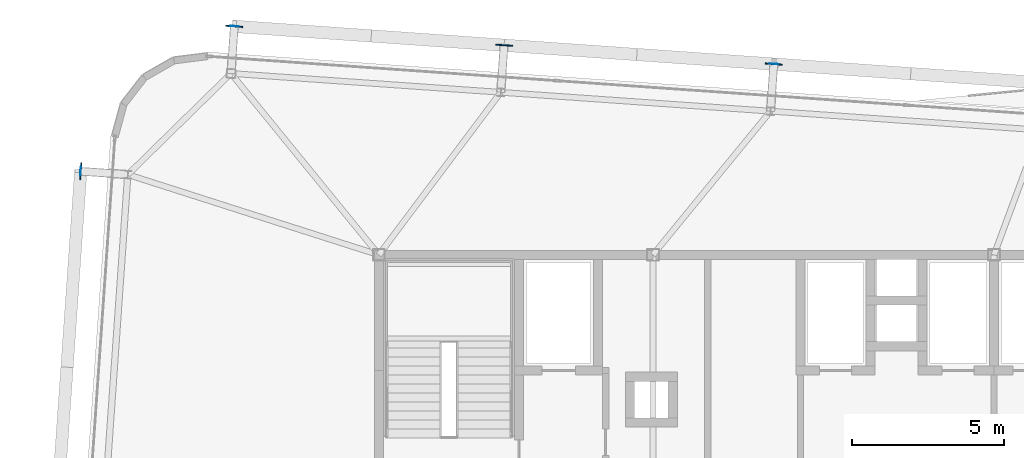
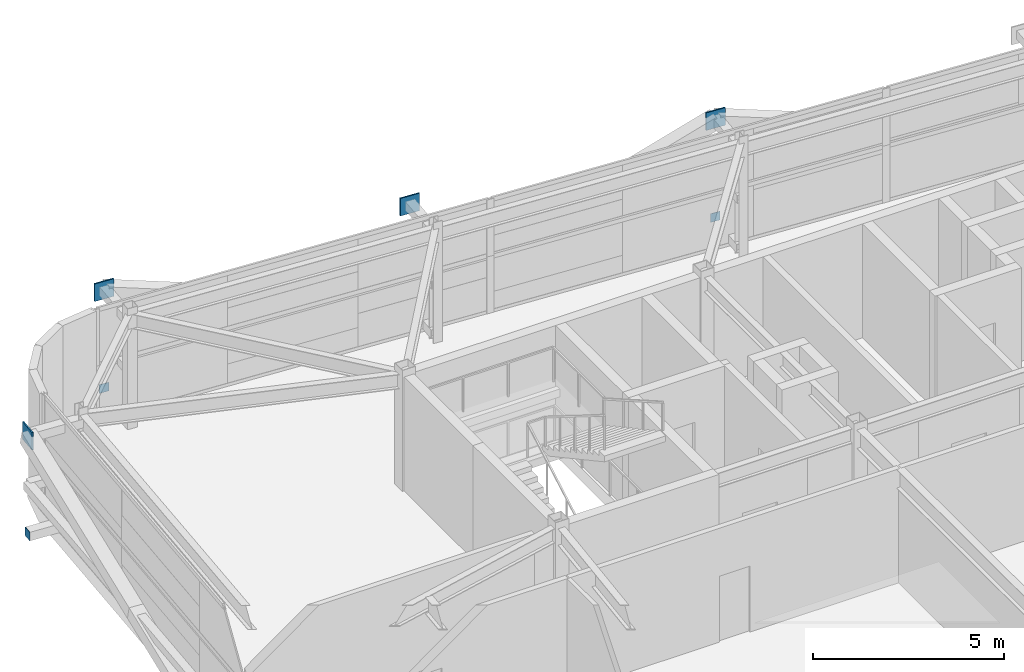
# One storey, part 29 of 36: 7 plates.
"""IFC4 building model written with IfcOpenShell, lengths in metres."""

from ifc_helpers import new_model, si_unit, direction, frame, origin, origin_2d, place, context, subcontext, project, spatial, rectangle, extrude, source, transform, mapped, material, layer, layer_set, type_object, element, save


model = new_model("IFC4")

# Units and contexts
model_context = context("Model", 3, precision=1e-05, world=origin(), true_north=direction((0.0, 1.0)))
body_context = subcontext(model_context, "Body", "Model", "MODEL_VIEW")
ifc_project = project(units=[si_unit("LENGTHUNIT", "METRE"), si_unit("AREAUNIT", "SQUARE_METRE"), si_unit("VOLUMEUNIT", "CUBIC_METRE"), si_unit("PLANEANGLEUNIT", "RADIAN"), si_unit("MASSUNIT", "GRAM", prefix="KILO")], contexts=[model_context])

# Site, building, storey
site_placement = place(None, origin())
site = spatial("IfcSite", under=ifc_project, at=site_placement, CompositionType="ELEMENT")
building_placement = place(site_placement, origin())
building = spatial("IfcBuilding", under=site, at=building_placement, Name="Taldren Reach Tower", CompositionType="ELEMENT")
storey_placement = place(building_placement, frame((0.0, 0.0, 116.550048828125)))
storey = spatial("IfcBuildingStorey", under=building, at=storey_placement, Name="L35", CompositionType="ELEMENT", Elevation=116.550048828125)

# Plates
ifc_material = material(Name="Steel Gr 450 (C450L0)", Category="steel")
ifc_layer_1 = layer(ifc_material, 0.0400390625)
ifc_layer_set_1 = layer_set([ifc_layer_1], Name="Steel Gr 450 (C450L0)")
plate_type_1 = type_object("IfcPlateType", Name="PL-GUSSET-40", PredefinedType="SHEET", material=ifc_layer_set_1)
shared_shape_1 = source(origin(), body_context, "Body", "SweptSolid", [
    extrude(rectangle(XDim=0.56005859375, YDim=0.0400390625, at=origin_2d()), origin(), (0.0, 0.0, 1.0), 0.56005859375),
])
for number, where, z_axis, x_axis, name in (
    (1, (14.252685546875, 39.5048828125, 3.06982421875), (0.0, 0.0, 1.0), (0.99756405026, -0.069756473744, 0.0), "Exoskeleton star-node gusset plate B3-N1 L35"),
    (2, (23.111083984375, 38.885498046875, 3.06982421875), (0.0, 0.0, 1.0), (0.99756405026, -0.069756473744, 0.0), "Exoskeleton star-node gusset plate B3-N2 L35"),
    (3, (31.969482421875, 38.26611328125, 3.06982421875), (0.0, 0.0, 1.0), (0.99756405026, -0.069756473744, 0.0), "Exoskeleton star-node gusset plate B3-N3 L35"),
    (4, (9.20849609375, 34.745361328125, 3.06982421875), (0.0, 0.0, 1.0), (0.069756473744, 0.99756405026, 0.0), "Exoskeleton star-node gusset plate B3-W3 L35"),
):
    element("IfcPlate", number, at=place(storey_placement, frame(where, z_axis=z_axis, x_axis=x_axis)), inside=storey, type_object=plate_type_1, Name=name, PredefinedType="SHEET", context=body_context, shape_type="MappedRepresentation", body=[
        mapped(shared_shape_1, transform((0.0, 0.0, 0.0), scale=1.0)),
    ])
ifc_layer_2 = layer(ifc_material, 0.011962890625)
ifc_layer_set_2 = layer_set([ifc_layer_2], Name="Steel Gr 450 (C450L0)")
plate_type_2 = type_object("IfcPlateType", Name="PL-CAP-275", PredefinedType="SHEET", material=ifc_layer_set_2)
shared_shape_2 = source(origin(), body_context, "Body", "SweptSolid", [
    extrude(rectangle(XDim=0.27490234375, YDim=0.011962890625, at=origin_2d()), origin(), (0.0, 0.0, 1.0), 0.27490234375),
])
for number, where, z_axis, x_axis, name in (
    (5, (14.253173828125, 39.510986328125, 0.08251953125), (0.0, 0.0, 1.0), (0.99756405026, -0.069756473744, 0.0), "Tie strut end cap plate B3-N1 L35"),
    (6, (31.969970703125, 38.272216796875, 0.08251953125), (0.0, 0.0, 1.0), (0.99756405026, -0.069756473744, 0.0), "Tie strut end cap plate B3-N3 L35"),
):
    element("IfcPlate", number, at=place(storey_placement, frame(where, z_axis=z_axis, x_axis=x_axis)), inside=storey, type_object=plate_type_2, Name=name, PredefinedType="SHEET", context=body_context, shape_type="MappedRepresentation", body=[
        mapped(shared_shape_2, transform((0.0, 0.0, 0.0), scale=1.0)),
    ])
shared_shape_3 = source(origin(), body_context, "Body", "SweptSolid", [
    extrude(rectangle(XDim=0.011962890625, YDim=0.27490234375, at=origin_2d()), origin(), (0.0, 0.0, 1.0), 0.27490234375),
])
plate_placement = place(storey_placement, frame((9.202392578125, 34.74560546875, 0.08251953125), z_axis=(0.0, 0.0, 1.0), x_axis=(0.99756405026, -0.069756473744, 0.0)))
element("IfcPlate", 7, at=plate_placement, inside=storey, type_object=plate_type_2, Name="Tie strut end cap plate B3-W3 L35", PredefinedType="SHEET", context=body_context, shape_type="MappedRepresentation", body=[
    mapped(shared_shape_3, transform((0.0, 0.0, 0.0), scale=1.0)),
])

save(model, "model.ifc")
